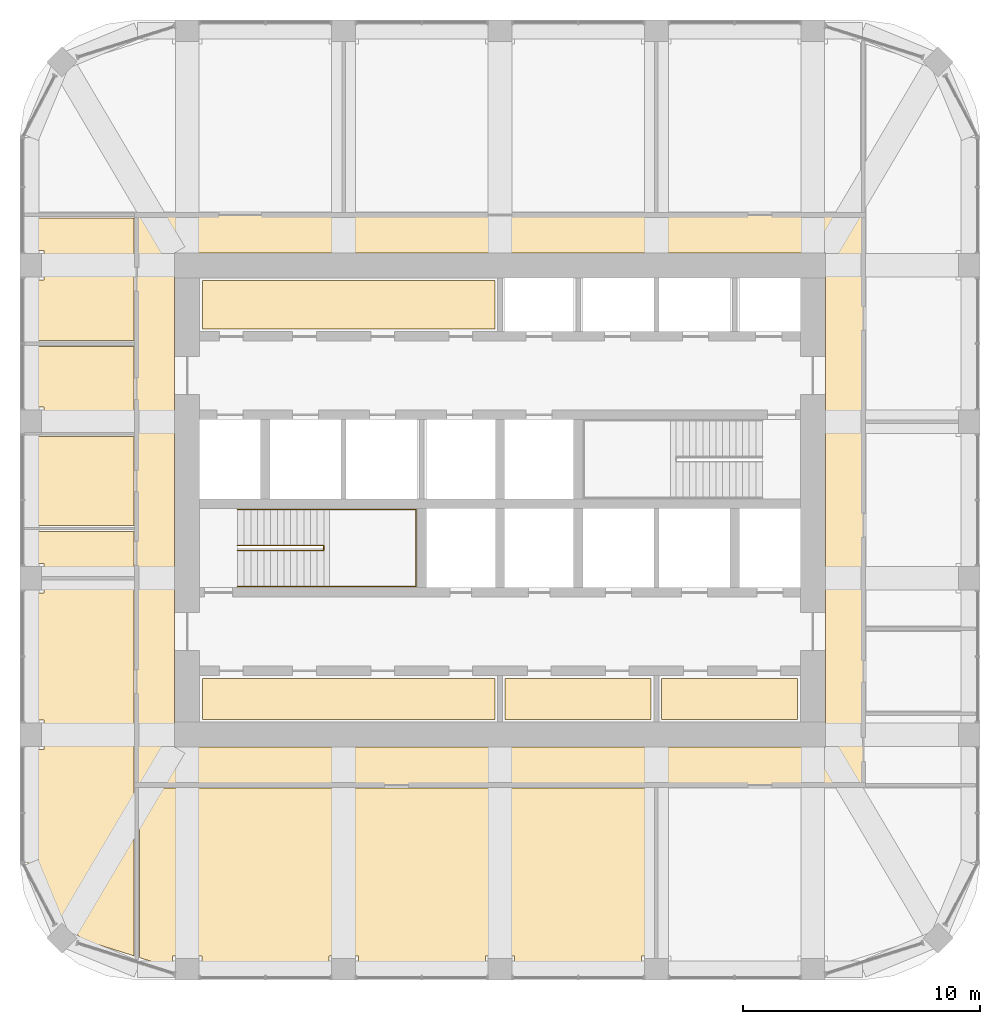
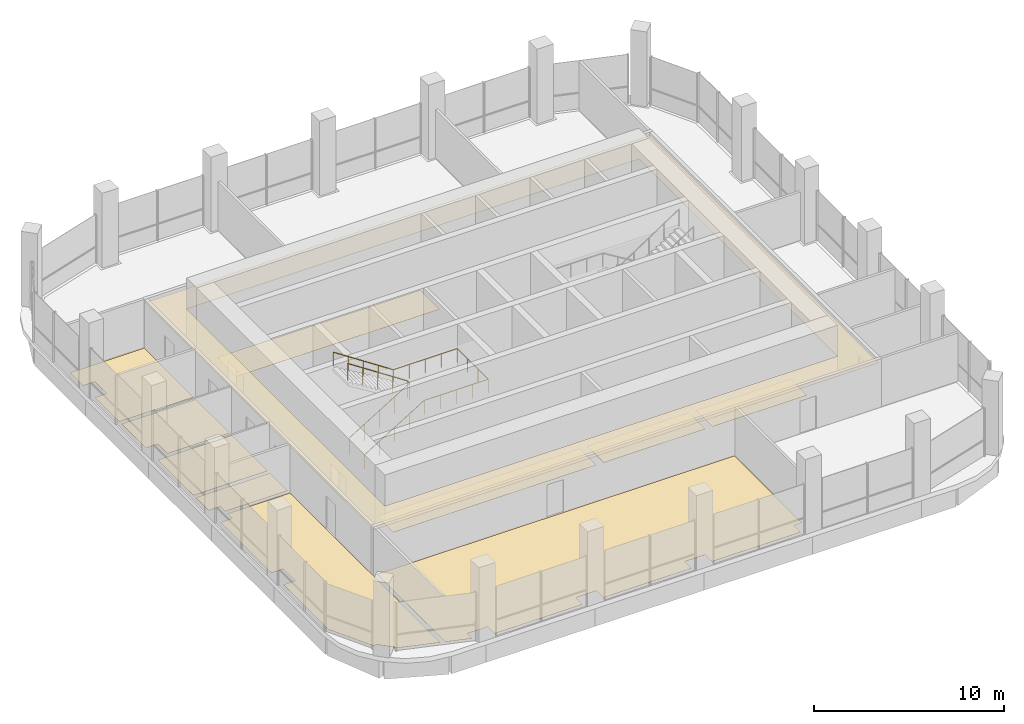
# One storey, part 12 of 13: 11 coverings, 2 railings.
"""IFC4 building model written with IfcOpenShell, lengths in metres."""

import ifcopenshell
import ifcopenshell.guid

model = None  # the IFC model being written
_history = None  # IfcOwnerHistory: only IFC2X3 demands one
_inside = {}  # id of a spatial element -> (the spatial element, [elements in it])
_under = {}  # id of a project, library or spatial element -> (it, [spatial elements below it])
_declared = {}  # id of a project -> (the project, [libraries it declares])
_typed = {}  # id of a type object -> (the type object, [elements of that type])
_made_of = {}  # id of a material, layer set ... -> (it, [elements and type objects made of it])


def new_model(schema):
    """Start an empty IFC model of exactly this schema.

    Asked for "IFC4X3", IfcOpenShell would pick the latest addendum, in which some entities
    have other attributes; the version numbers below select the first issue.
    IFC2X3 requires an IfcOwnerHistory on every rooted entity: one is made here for all.
    """
    global model, _history
    if schema == "IFC4X3":
        model = ifcopenshell.file(schema_version=(4, 3, 0, 0))
    else:
        model = ifcopenshell.file(schema=schema)
    _inside.clear()
    _under.clear()
    _declared.clear()
    _typed.clear()
    _made_of.clear()
    _history = None
    if model.schema == "IFC2X3":
        org = make("IfcOrganization", Name="unknown")
        user = make(
            "IfcPersonAndOrganization",
            ThePerson=make("IfcPerson", FamilyName="unknown"),
            TheOrganization=org,
        )
        app = make(
            "IfcApplication",
            ApplicationDeveloper=org,
            Version="unknown",
            ApplicationFullName="unknown",
            ApplicationIdentifier="unknown",
        )
        _history = make(
            "IfcOwnerHistory",
            OwningUser=user,
            OwningApplication=app,
            ChangeAction="ADDED",
            CreationDate=0,
        )
    return model


def make(cls, **values):
    """One entity of the class cls with the attributes given. An attribute that is None is left unset."""
    return model.create_entity(
        cls, **{name: value for name, value in values.items() if value is not None}
    )


def rooted(cls, **values):
    """An entity with a GlobalId (a new one), such as an element, a storey or a relation."""
    return make(cls, GlobalId=ifcopenshell.guid.new(), OwnerHistory=_history, **values)


def si_unit(unit_type, name, prefix=None):
    """IfcSIUnit, for example si_unit("LENGTHUNIT", "METRE", prefix="MILLI")."""
    return make("IfcSIUnit", UnitType=unit_type, Prefix=prefix, Name=name)


def assignment(units):
    """IfcUnitAssignment: the units of a project."""
    return None if units is None else make("IfcUnitAssignment", Units=units)


def point(xyz):
    """IfcCartesianPoint."""
    return None if xyz is None else make("IfcCartesianPoint", Coordinates=xyz)


def direction(xyz):
    """IfcDirection."""
    return None if xyz is None else make("IfcDirection", DirectionRatios=xyz)


def frame(location, z_axis=None, x_axis=None):
    """IfcAxis2Placement3D, a coordinate frame: its origin and axes. An axis left out is left unset."""
    return make(
        "IfcAxis2Placement3D",
        Location=point(location),
        Axis=direction(z_axis),
        RefDirection=direction(x_axis),
    )


def origin():
    """The frame at (0, 0, 0) with its axes left unset."""
    return frame((0.0, 0.0, 0.0))


def place(relative_to, where):
    """IfcLocalPlacement: puts the frame where relative to a parent placement (None: the world)."""
    return make(
        "IfcLocalPlacement", PlacementRelTo=relative_to, RelativePlacement=where
    )


def context(
    kind, dimensions, precision=None, world=None, true_north=None, identifier=None
):
    """IfcGeometricRepresentationContext, for example the 3D "Model" context."""
    return make(
        "IfcGeometricRepresentationContext",
        ContextIdentifier=identifier,
        ContextType=kind,
        CoordinateSpaceDimension=dimensions,
        Precision=precision,
        WorldCoordinateSystem=world,
        TrueNorth=true_north,
    )


def subcontext(parent, identifier, kind, view, scale=None):
    """IfcGeometricRepresentationSubContext, for example "Body" below "Model"."""
    return make(
        "IfcGeometricRepresentationSubContext",
        ContextIdentifier=identifier,
        ContextType=kind,
        ParentContext=parent,
        TargetScale=scale,
        TargetView=view,
    )


def project(units=None, contexts=None):
    """IfcProject with its units and contexts."""
    return rooted(
        "IfcProject",
        Name="project",
        RepresentationContexts=contexts,
        UnitsInContext=assignment(units),
    )


def spatial(cls, under=None, at=None, **own):
    """A site, building, storey or space (cls), placed at a placement, below another one or the project."""
    s = rooted(cls, ObjectPlacement=at, **own)
    if under is not None:
        _under.setdefault(under.id(), (under, []))[1].append(s)
    return s


def polyline(points):
    """IfcPolyline through the points."""
    return make("IfcPolyline", Points=[point(p) for p in points])


def outline(outer, holes=None, kind="AREA"):
    """IfcArbitraryClosedProfileDef: a profile drawn as a closed curve; with holes, ...WithVoids."""
    if holes is None:
        return make("IfcArbitraryClosedProfileDef", ProfileType=kind, OuterCurve=outer)
    return make(
        "IfcArbitraryProfileDefWithVoids",
        ProfileType=kind,
        OuterCurve=outer,
        InnerCurves=holes,
    )


def extrude(swept, where, along, depth):
    """IfcExtrudedAreaSolid: the profile swept, set in the frame where, extruded along a direction by depth."""
    return make(
        "IfcExtrudedAreaSolid",
        SweptArea=swept,
        Position=where,
        ExtrudedDirection=direction(along),
        Depth=depth,
    )


def shape(context_of_items, identifier, shape_type, items):
    """IfcShapeRepresentation: the items that make up one representation, for example the "Body"."""
    return make(
        "IfcShapeRepresentation",
        ContextOfItems=context_of_items,
        RepresentationIdentifier=identifier,
        RepresentationType=shape_type,
        Items=items,
    )


def material(Name=None, Category=None):
    """IfcMaterial."""
    return make("IfcMaterial", Name=Name, Category=Category)


def layer(
    of_material, thickness, ventilated=None, Name=None, Category=None, Priority=None
):
    """IfcMaterialLayer: one layer of a wall or slab, of a material (None: an air gap)."""
    return make(
        "IfcMaterialLayer",
        Material=of_material,
        LayerThickness=thickness,
        IsVentilated=ventilated,
        Name=Name,
        Category=Category,
        Priority=Priority,
    )


def layer_set(layers, Name=None):
    """IfcMaterialLayerSet."""
    return make("IfcMaterialLayerSet", MaterialLayers=layers, LayerSetName=Name)


def made_of(thing, what):
    """Note that an element or type object is made of a material, layer set ...; save() writes the relation."""
    if what is not None:
        _made_of.setdefault(what.id(), (what, []))[1].append(thing)
    return thing


def type_object(cls, material=None, **own):
    """A type object (cls), such as IfcWallType, which elements share."""
    return made_of(rooted(cls, **own), material)


def element(
    cls,
    number,
    at=None,
    inside=None,
    cuts=None,
    type_object=None,
    material=None,
    context=None,
    identifier="Body",
    shape_type=None,
    held_by="IfcProductDefinitionShape",
    body=None,
    shapes=None,
    **own,
):
    """One element of the class cls, such as IfcWall. Its Tag is "e" and its number.

    at: its placement. inside: the storey or other place that contains it. cuts: it is an
    opening in that element (IfcRelVoidsElement). A single representation is given by context,
    identifier, shape_type and body (its items); several are given by shapes. held_by: the class
    of the entity that holds the representations. save() writes the other relations.
    """
    e = rooted(cls, Tag="e%d" % number, ObjectPlacement=at, **own)
    if body is not None:
        shapes = [shape(context, identifier, shape_type, body)]
    if shapes is not None:
        e.Representation = make(held_by, Representations=shapes)
    if inside is not None:
        _inside.setdefault(inside.id(), (inside, []))[1].append(e)
    if cuts is not None:
        rooted(
            "IfcRelVoidsElement", RelatingBuildingElement=cuts, RelatedOpeningElement=e
        )
    if type_object is not None:
        _typed.setdefault(type_object.id(), (type_object, []))[1].append(e)
    return made_of(e, material)


def aggregate(whole, parts):
    """IfcRelAggregates: a whole, such as a stair, and the parts it consists of."""
    return rooted("IfcRelAggregates", RelatingObject=whole, RelatedObjects=parts)


def save(model, path):
    """Write the relations noted so far, then the file.

    IfcRelAggregates (storeys below a building ...), IfcRelContainedInSpatialStructure (elements
    in a storey), IfcRelDefinesByType, IfcRelAssociatesMaterial and IfcRelDeclares: one each for
    every whole, place, type object, material and project.
    """
    for whole, parts in _under.values():
        aggregate(whole, parts)
    for where, things in _inside.values():
        rooted(
            "IfcRelContainedInSpatialStructure",
            RelatedElements=things,
            RelatingStructure=where,
        )
    for kind, things in _typed.values():
        rooted("IfcRelDefinesByType", RelatedObjects=things, RelatingType=kind)
    for what, things in _made_of.values():
        rooted("IfcRelAssociatesMaterial", RelatedObjects=things, RelatingMaterial=what)
    for by, libraries in _declared.values():
        rooted("IfcRelDeclares", RelatingContext=by, RelatedDefinitions=libraries)
    model.write(path)


model = new_model("IFC4")

# Units and contexts
model_context = context("Model", 3, precision=1e-05, world=origin(), true_north=direction((0.0, 1.0)))
body_context = subcontext(model_context, "Body", "Model", "MODEL_VIEW")
ifc_project = project(units=[si_unit("LENGTHUNIT", "METRE"), si_unit("AREAUNIT", "SQUARE_METRE"), si_unit("VOLUMEUNIT", "CUBIC_METRE"), si_unit("PLANEANGLEUNIT", "RADIAN"), si_unit("MASSUNIT", "GRAM", prefix="KILO")], contexts=[model_context])

# Site, building, storey
site_placement = place(None, origin())
site = spatial("IfcSite", under=ifc_project, at=site_placement, CompositionType="ELEMENT")
building_placement = place(site_placement, origin())
building = spatial("IfcBuilding", under=site, at=building_placement, Name="Cobogo Forest Laboratory Tower", CompositionType="ELEMENT")
storey_placement = place(building_placement, frame((0.0, 0.0, 288.0)))
storey = spatial("IfcBuildingStorey", under=building, at=storey_placement, Name="L66", CompositionType="ELEMENT", Elevation=288.0)

# Coverings
ifc_material_1 = material(Name="Mineral fibre ceiling tile", Category="ceiling")
ifc_layer_1 = layer(ifc_material_1, 0.02001953125)
ifc_layer_set_1 = layer_set([ifc_layer_1], Name="CL1 suspended ceiling")
covering_type_1 = type_object("IfcCoveringType", Name="CL1 suspended ceiling", PredefinedType="CEILING", material=ifc_layer_set_1)
covering_1_placement = place(storey_placement, frame((0.0, 0.0, 2.800048828125)))
element("IfcCovering", 1, at=covering_1_placement, inside=storey, type_object=covering_type_1, Name="Corridor ceiling L66", PredefinedType="CEILING", context=body_context, shape_type="SweptSolid", body=[
    extrude(outline(polyline([(11.074951171875, 11.074951171875), (11.074951171875, 35.125), (41.72509765625, 35.125), (41.72509765625, 11.074951171875), (11.074951171875, 11.074951171875)]), holes=[polyline([(40.125, 33.52490234375), (12.675048828125, 33.52490234375), (12.675048828125, 12.675048828125), (40.125, 12.675048828125), (40.125, 33.52490234375)])]), origin(), (0.0, 0.0, 1.0), 0.02001953125),
])
ifc_material_2 = material(Name="Carpet tile on raised access floor", Category="flooring")
ifc_layer_2 = layer(ifc_material_2, 0.008056640625)
ifc_layer_set_2 = layer_set([ifc_layer_2], Name="CT1 carpet tile floor 8")
covering_type_2 = type_object("IfcCoveringType", Name="CT1 carpet tile floor 8", PredefinedType="FLOORING", material=ifc_layer_set_2)
covering_2_placement = place(storey_placement, origin())
element("IfcCovering", 2, at=covering_2_placement, inside=storey, type_object=covering_type_2, Name="Carpet floor L66-01", PredefinedType="FLOORING", context=body_context, shape_type="SweptSolid", body=[
    extrude(outline(polyline([(32.8798828125, 10.955078125), (32.8798828125, 3.8701171875), (32.3798828125, 3.8701171875), (32.3798828125, 3.14990234375), (27.02001953125, 3.14990234375), (27.02001953125, 3.8701171875), (25.780029296875, 3.8701171875), (25.780029296875, 3.14990234375), (20.419921875, 3.14990234375), (20.419921875, 3.8701171875), (19.179931640625, 3.8701171875), (19.179931640625, 3.14990234375), (13.820068359375, 3.14990234375), (13.820068359375, 3.8701171875), (12.580078125, 3.8701171875), (12.580078125, 3.35546875), (11.195068359375, 3.79296875), (11.195068359375, 10.955078125), (32.8798828125, 10.955078125)])), origin(), (0.0, 0.0, 1.0), 0.008056640625),
])
covering_3_placement = place(storey_placement, origin())
element("IfcCovering", 3, at=covering_3_placement, inside=storey, type_object=covering_type_2, Name="Carpet floor L66-10", PredefinedType="FLOORING", context=body_context, shape_type="SweptSolid", body=[
    extrude(outline(polyline([(8.68994140625, 4.583984375), (8.72412109375, 4.617919921875), (7.91796875, 5.424072265625), (7.788818359375, 5.294921875), (6.449951171875, 7.84912109375), (6.449951171875, 12.580078125), (7.169921875, 12.580078125), (7.169921875, 13.820068359375), (6.449951171875, 13.820068359375), (6.449951171875, 19.179931640625), (7.169921875, 19.179931640625), (7.169921875, 19.679931640625), (10.955078125, 19.679931640625), (10.955078125, 3.86865234375), (8.68994140625, 4.583984375)])), origin(), (0.0, 0.0, 1.0), 0.008056640625),
])
covering_4_placement = place(storey_placement, origin())
element("IfcCovering", 4, at=covering_4_placement, inside=storey, type_object=covering_type_2, Name="Carpet floor L66-14", PredefinedType="FLOORING", context=body_context, shape_type="SweptSolid", body=[
    extrude(outline(polyline([(10.955078125, 29.820068359375), (6.449951171875, 29.820068359375), (6.449951171875, 32.3798828125), (7.169921875, 32.3798828125), (7.169921875, 33.6201171875), (6.449951171875, 33.6201171875), (6.449951171875, 35.0048828125), (10.955078125, 35.0048828125), (10.955078125, 29.820068359375)])), origin(), (0.0, 0.0, 1.0), 0.008056640625),
])
covering_5_placement = place(storey_placement, origin())
element("IfcCovering", 5, at=covering_5_placement, inside=storey, type_object=covering_type_2, Name="Carpet floor L66-22", PredefinedType="FLOORING", context=body_context, shape_type="SweptSolid", body=[
    extrude(outline(polyline([(26.179931640625, 13.844970703125), (13.844970703125, 13.844970703125), (13.844970703125, 15.580078125), (26.179931640625, 15.580078125), (26.179931640625, 13.844970703125)])), origin(), (0.0, 0.0, 1.0), 0.008056640625),
])
covering_6_placement = place(storey_placement, origin())
element("IfcCovering", 6, at=covering_6_placement, inside=storey, type_object=covering_type_2, Name="Carpet floor L66-23", PredefinedType="FLOORING", context=body_context, shape_type="SweptSolid", body=[
    extrude(outline(polyline([(32.780029296875, 13.844970703125), (26.6201171875, 13.844970703125), (26.6201171875, 15.580078125), (32.780029296875, 15.580078125), (32.780029296875, 13.844970703125)])), origin(), (0.0, 0.0, 1.0), 0.008056640625),
])
covering_7_placement = place(storey_placement, origin())
element("IfcCovering", 7, at=covering_7_placement, inside=storey, type_object=covering_type_2, Name="Carpet floor L66-25", PredefinedType="FLOORING", context=body_context, shape_type="SweptSolid", body=[
    extrude(outline(polyline([(26.179931640625, 30.320068359375), (13.844970703125, 30.320068359375), (13.844970703125, 32.35498046875), (26.179931640625, 32.35498046875), (26.179931640625, 30.320068359375)])), origin(), (0.0, 0.0, 1.0), 0.008056640625),
])

# Railings
ifc_material_3 = material(Name="Steel balustrade", Category="steel")
railing_type_1 = type_object("IfcRailingType", Name="GR stair guard 1100", PredefinedType="GUARDRAIL", material=ifc_material_3)
railing_1_placement = place(storey_placement, frame((15.324951171875, 20.969970703125, 0.17138671875)))
element("IfcRailing", 8, at=railing_1_placement, inside=storey, type_object=railing_type_1, Name="Stair guard ST1 L66", PredefinedType="GUARDRAIL", context=body_context, shape_type="SweptSolid", body=[
    extrude(outline(polyline([(0.022216796875, 0.00927734375), (0.00927734375, 0.022216796875), (-0.00927734375, 0.022216796875), (-0.022216796875, 0.00927734375), (-0.022216796875, -0.00927734375), (-0.00927734375, -0.022216796875), (0.00927734375, -0.022216796875), (0.022216796875, -0.00927734375), (0.022216796875, 0.00927734375)])), frame((0.0, 0.0, 1.077880859375), z_axis=(0.852865859571, 0.0, 0.52213008492), x_axis=(0.0, 1.0, 0.0)), (0.0, 0.0, 1.0), 4.26806640625),
    extrude(outline(polyline([(0.022216796875, 0.00927734375), (0.00927734375, 0.022216796875), (-0.00927734375, 0.022216796875), (-0.022216796875, 0.00927734375), (-0.022216796875, -0.00927734375), (-0.00927734375, -0.022216796875), (0.00927734375, -0.022216796875), (0.022216796875, -0.00927734375), (0.022216796875, 0.00927734375)])), frame((3.64013671875, 0.0, 3.306396484375), z_axis=(0.0, 1.0, 0.0), x_axis=(-1.0, 0.0, 0.0)), (0.0, 0.0, 1.0), 0.2099609375),
    extrude(outline(polyline([(0.022216796875, 0.00927734375), (0.00927734375, 0.022216796875), (-0.00927734375, 0.022216796875), (-0.022216796875, 0.00927734375), (-0.022216796875, -0.00927734375), (-0.00927734375, -0.022216796875), (0.00927734375, -0.022216796875), (0.022216796875, -0.00927734375), (0.022216796875, 0.00927734375)])), frame((3.64013671875, 0.2099609375, 3.306396484375), z_axis=(-0.834856447115, 0.0, 0.55046772177), x_axis=(0.0, -1.0, 0.0)), (0.0, 0.0, 1.0), 4.360107421875),
    extrude(outline(polyline([(0.019287109375, 0.008056640625), (0.008056640625, 0.019287109375), (-0.008056640625, 0.019287109375), (-0.019287109375, 0.008056640625), (-0.019287109375, -0.008056640625), (-0.008056640625, -0.019287109375), (0.008056640625, -0.019287109375), (0.019287109375, -0.008056640625), (0.019287109375, 0.008056640625)])), origin(), (0.0, 0.0, 1.0), 1.077880859375),
    extrude(outline(polyline([(0.019287109375, 0.008056640625), (0.008056640625, 0.019287109375), (-0.008056640625, 0.019287109375), (-0.019287109375, 0.008056640625), (-0.019287109375, -0.008056640625), (-0.008056640625, -0.019287109375), (0.008056640625, -0.019287109375), (0.019287109375, -0.008056640625), (0.019287109375, 0.008056640625)])), frame((0.91015625, 0.0, 0.55712890625)), (0.0, 0.0, 1.0), 1.077880859375),
    extrude(outline(polyline([(0.019287109375, 0.008056640625), (0.008056640625, 0.019287109375), (-0.008056640625, 0.019287109375), (-0.019287109375, 0.008056640625), (-0.019287109375, -0.008056640625), (-0.008056640625, -0.019287109375), (0.008056640625, -0.019287109375), (0.019287109375, -0.008056640625), (0.019287109375, 0.008056640625)])), frame((1.820068359375, 0.0, 1.1142578125)), (0.0, 0.0, 1.0), 1.077880859375),
    extrude(outline(polyline([(0.019287109375, 0.008056640625), (0.008056640625, 0.019287109375), (-0.008056640625, 0.019287109375), (-0.019287109375, 0.008056640625), (-0.019287109375, -0.008056640625), (-0.008056640625, -0.019287109375), (0.008056640625, -0.019287109375), (0.019287109375, -0.008056640625), (0.019287109375, 0.008056640625)])), frame((2.72998046875, 0.0, 1.67138671875)), (0.0, 0.0, 1.0), 1.077880859375),
    extrude(outline(polyline([(0.019287109375, 0.008056640625), (0.008056640625, 0.019287109375), (-0.008056640625, 0.019287109375), (-0.019287109375, 0.008056640625), (-0.019287109375, -0.008056640625), (-0.008056640625, -0.019287109375), (0.008056640625, -0.019287109375), (0.019287109375, -0.008056640625), (0.019287109375, 0.008056640625)])), frame((3.64013671875, 0.0, 2.228515625)), (0.0, 0.0, 1.0), 1.077880859375),
    extrude(outline(polyline([(0.019287109375, 0.008056640625), (0.008056640625, 0.019287109375), (-0.008056640625, 0.019287109375), (-0.019287109375, 0.008056640625), (-0.019287109375, -0.008056640625), (-0.008056640625, -0.019287109375), (0.008056640625, -0.019287109375), (0.019287109375, -0.008056640625), (0.019287109375, 0.008056640625)])), frame((3.64013671875, 0.2099609375, 2.228515625)), (0.0, 0.0, 1.0), 1.077880859375),
    extrude(outline(polyline([(0.019287109375, 0.008056640625), (0.008056640625, 0.019287109375), (-0.008056640625, 0.019287109375), (-0.019287109375, 0.008056640625), (-0.019287109375, -0.008056640625), (-0.008056640625, -0.019287109375), (0.008056640625, -0.019287109375), (0.019287109375, -0.008056640625), (0.019287109375, 0.008056640625)])), frame((2.72998046875, 0.2099609375, 2.82861328125)), (0.0, 0.0, 1.0), 1.077880859375),
    extrude(outline(polyline([(0.019287109375, 0.008056640625), (0.008056640625, 0.019287109375), (-0.008056640625, 0.019287109375), (-0.019287109375, 0.008056640625), (-0.019287109375, -0.008056640625), (-0.008056640625, -0.019287109375), (0.008056640625, -0.019287109375), (0.019287109375, -0.008056640625), (0.019287109375, 0.008056640625)])), frame((1.820068359375, 0.2099609375, 3.4287109375)), (0.0, 0.0, 1.0), 1.077880859375),
    extrude(outline(polyline([(0.019287109375, 0.008056640625), (0.008056640625, 0.019287109375), (-0.008056640625, 0.019287109375), (-0.019287109375, 0.008056640625), (-0.019287109375, -0.008056640625), (-0.008056640625, -0.019287109375), (0.008056640625, -0.019287109375), (0.019287109375, -0.008056640625), (0.019287109375, 0.008056640625)])), frame((0.91015625, 0.2099609375, 4.028564453125)), (0.0, 0.0, 1.0), 1.077880859375),
    extrude(outline(polyline([(0.019287109375, 0.008056640625), (0.008056640625, 0.019287109375), (-0.008056640625, 0.019287109375), (-0.019287109375, 0.008056640625), (-0.019287109375, -0.008056640625), (-0.008056640625, -0.019287109375), (0.008056640625, -0.019287109375), (0.019287109375, -0.008056640625), (0.019287109375, 0.008056640625)])), frame((0.0, 0.2099609375, 4.628662109375)), (0.0, 0.0, 1.0), 1.077880859375),
])
ifc_material_4 = material(Name="Stainless steel handrail", Category="steel")
railing_type_2 = type_object("IfcRailingType", Name="HR handrail 900", PredefinedType="HANDRAIL", material=ifc_material_4)
railing_2_placement = place(storey_placement, frame((15.324951171875, 19.449951171875, 0.17138671875)))
element("IfcRailing", 9, at=railing_2_placement, inside=storey, type_object=railing_type_2, Name="Stair handrail ST1 L66", PredefinedType="HANDRAIL", context=body_context, shape_type="SweptSolid", body=[
    extrude(outline(polyline([(0.022216796875, 0.00927734375), (0.00927734375, 0.022216796875), (-0.00927734375, 0.022216796875), (-0.022216796875, 0.00927734375), (-0.022216796875, -0.00927734375), (-0.00927734375, -0.022216796875), (0.00927734375, -0.022216796875), (0.022216796875, -0.00927734375), (0.022216796875, 0.00927734375)])), frame((0.0, 0.0, 0.877685546875), z_axis=(0.852865859571, 0.0, 0.52213008492), x_axis=(0.0, 1.0, 0.0)), (0.0, 0.0, 1.0), 4.26806640625),
    extrude(outline(polyline([(0.022216796875, 0.00927734375), (0.00927734375, 0.022216796875), (-0.00927734375, 0.022216796875), (-0.022216796875, 0.00927734375), (-0.022216796875, -0.00927734375), (-0.00927734375, -0.022216796875), (0.00927734375, -0.022216796875), (0.022216796875, -0.00927734375), (0.022216796875, 0.00927734375)])), frame((3.64013671875, 0.0, 3.106201171875), z_axis=(1.0, 0.0, 0.0), x_axis=(0.0, 1.0, 0.0)), (0.0, 0.0, 1.0), 3.885009765625),
    extrude(outline(polyline([(0.022216796875, 0.00927734375), (0.00927734375, 0.022216796875), (-0.00927734375, 0.022216796875), (-0.022216796875, 0.00927734375), (-0.022216796875, -0.00927734375), (-0.00927734375, -0.022216796875), (0.00927734375, -0.022216796875), (0.022216796875, -0.00927734375), (0.022216796875, 0.00927734375)])), frame((7.525146484375, 0.0, 3.106201171875), z_axis=(0.0, 1.0, 0.0), x_axis=(-1.0, 0.0, 0.0)), (0.0, 0.0, 1.0), 3.25),
    extrude(outline(polyline([(0.022216796875, 0.00927734375), (0.00927734375, 0.022216796875), (-0.00927734375, 0.022216796875), (-0.022216796875, 0.00927734375), (-0.022216796875, -0.00927734375), (-0.00927734375, -0.022216796875), (0.00927734375, -0.022216796875), (0.022216796875, -0.00927734375), (0.022216796875, 0.00927734375)])), frame((7.525146484375, 3.25, 3.106201171875), z_axis=(-1.0, 0.0, 0.0), x_axis=(0.0, -1.0, 0.0)), (0.0, 0.0, 1.0), 3.885009765625),
    extrude(outline(polyline([(0.022216796875, 0.00927734375), (0.00927734375, 0.022216796875), (-0.00927734375, 0.022216796875), (-0.022216796875, 0.00927734375), (-0.022216796875, -0.00927734375), (-0.00927734375, -0.022216796875), (0.00927734375, -0.022216796875), (0.022216796875, -0.00927734375), (0.022216796875, 0.00927734375)])), frame((3.64013671875, 3.25, 3.106201171875), z_axis=(-0.834856447115, 0.0, 0.55046772177), x_axis=(0.0, -1.0, 0.0)), (0.0, 0.0, 1.0), 4.360107421875),
    extrude(outline(polyline([(0.019287109375, 0.008056640625), (0.008056640625, 0.019287109375), (-0.008056640625, 0.019287109375), (-0.019287109375, 0.008056640625), (-0.019287109375, -0.008056640625), (-0.008056640625, -0.019287109375), (0.008056640625, -0.019287109375), (0.019287109375, -0.008056640625), (0.019287109375, 0.008056640625)])), origin(), (0.0, 0.0, 1.0), 0.877685546875),
    extrude(outline(polyline([(0.019287109375, 0.008056640625), (0.008056640625, 0.019287109375), (-0.008056640625, 0.019287109375), (-0.019287109375, 0.008056640625), (-0.019287109375, -0.008056640625), (-0.008056640625, -0.019287109375), (0.008056640625, -0.019287109375), (0.019287109375, -0.008056640625), (0.019287109375, 0.008056640625)])), frame((0.91015625, 0.0, 0.55712890625)), (0.0, 0.0, 1.0), 0.877685546875),
    extrude(outline(polyline([(0.019287109375, 0.008056640625), (0.008056640625, 0.019287109375), (-0.008056640625, 0.019287109375), (-0.019287109375, 0.008056640625), (-0.019287109375, -0.008056640625), (-0.008056640625, -0.019287109375), (0.008056640625, -0.019287109375), (0.019287109375, -0.008056640625), (0.019287109375, 0.008056640625)])), frame((1.820068359375, 0.0, 1.1142578125)), (0.0, 0.0, 1.0), 0.877685546875),
    extrude(outline(polyline([(0.019287109375, 0.008056640625), (0.008056640625, 0.019287109375), (-0.008056640625, 0.019287109375), (-0.019287109375, 0.008056640625), (-0.019287109375, -0.008056640625), (-0.008056640625, -0.019287109375), (0.008056640625, -0.019287109375), (0.019287109375, -0.008056640625), (0.019287109375, 0.008056640625)])), frame((2.72998046875, 0.0, 1.67138671875)), (0.0, 0.0, 1.0), 0.877685546875),
    extrude(outline(polyline([(0.019287109375, 0.008056640625), (0.008056640625, 0.019287109375), (-0.008056640625, 0.019287109375), (-0.019287109375, 0.008056640625), (-0.019287109375, -0.008056640625), (-0.008056640625, -0.019287109375), (0.008056640625, -0.019287109375), (0.019287109375, -0.008056640625), (0.019287109375, 0.008056640625)])), frame((3.64013671875, 0.0, 2.228515625)), (0.0, 0.0, 1.0), 0.877685546875),
    extrude(outline(polyline([(0.019287109375, 0.008056640625), (0.008056640625, 0.019287109375), (-0.008056640625, 0.019287109375), (-0.019287109375, 0.008056640625), (-0.019287109375, -0.008056640625), (-0.008056640625, -0.019287109375), (0.008056640625, -0.019287109375), (0.019287109375, -0.008056640625), (0.019287109375, 0.008056640625)])), frame((4.611328125, 0.0, 2.228515625)), (0.0, 0.0, 1.0), 0.877685546875),
    extrude(outline(polyline([(0.019287109375, 0.008056640625), (0.008056640625, 0.019287109375), (-0.008056640625, 0.019287109375), (-0.019287109375, 0.008056640625), (-0.019287109375, -0.008056640625), (-0.008056640625, -0.019287109375), (0.008056640625, -0.019287109375), (0.019287109375, -0.008056640625), (0.019287109375, 0.008056640625)])), frame((5.58251953125, 0.0, 2.228515625)), (0.0, 0.0, 1.0), 0.877685546875),
    extrude(outline(polyline([(0.019287109375, 0.008056640625), (0.008056640625, 0.019287109375), (-0.008056640625, 0.019287109375), (-0.019287109375, 0.008056640625), (-0.019287109375, -0.008056640625), (-0.008056640625, -0.019287109375), (0.008056640625, -0.019287109375), (0.019287109375, -0.008056640625), (0.019287109375, 0.008056640625)])), frame((6.553955078125, 0.0, 2.228515625)), (0.0, 0.0, 1.0), 0.877685546875),
    extrude(outline(polyline([(0.019287109375, 0.008056640625), (0.008056640625, 0.019287109375), (-0.008056640625, 0.019287109375), (-0.019287109375, 0.008056640625), (-0.019287109375, -0.008056640625), (-0.008056640625, -0.019287109375), (0.008056640625, -0.019287109375), (0.019287109375, -0.008056640625), (0.019287109375, 0.008056640625)])), frame((7.525146484375, 0.0, 2.228515625)), (0.0, 0.0, 1.0), 0.877685546875),
    extrude(outline(polyline([(0.019287109375, 0.008056640625), (0.008056640625, 0.019287109375), (-0.008056640625, 0.019287109375), (-0.019287109375, 0.008056640625), (-0.019287109375, -0.008056640625), (-0.008056640625, -0.019287109375), (0.008056640625, -0.019287109375), (0.019287109375, -0.008056640625), (0.019287109375, 0.008056640625)])), frame((7.525146484375, 1.083251953125, 2.228515625)), (0.0, 0.0, 1.0), 0.877685546875),
    extrude(outline(polyline([(0.019287109375, 0.008056640625), (0.008056640625, 0.019287109375), (-0.008056640625, 0.019287109375), (-0.019287109375, 0.008056640625), (-0.019287109375, -0.008056640625), (-0.008056640625, -0.019287109375), (0.008056640625, -0.019287109375), (0.019287109375, -0.008056640625), (0.019287109375, 0.008056640625)])), frame((7.525146484375, 2.166748046875, 2.228515625)), (0.0, 0.0, 1.0), 0.877685546875),
    extrude(outline(polyline([(0.019287109375, 0.008056640625), (0.008056640625, 0.019287109375), (-0.008056640625, 0.019287109375), (-0.019287109375, 0.008056640625), (-0.019287109375, -0.008056640625), (-0.008056640625, -0.019287109375), (0.008056640625, -0.019287109375), (0.019287109375, -0.008056640625), (0.019287109375, 0.008056640625)])), frame((7.525146484375, 3.25, 2.228515625)), (0.0, 0.0, 1.0), 0.877685546875),
    extrude(outline(polyline([(0.019287109375, 0.008056640625), (0.008056640625, 0.019287109375), (-0.008056640625, 0.019287109375), (-0.019287109375, 0.008056640625), (-0.019287109375, -0.008056640625), (-0.008056640625, -0.019287109375), (0.008056640625, -0.019287109375), (0.019287109375, -0.008056640625), (0.019287109375, 0.008056640625)])), frame((6.553955078125, 3.25, 2.228515625)), (0.0, 0.0, 1.0), 0.877685546875),
    extrude(outline(polyline([(0.019287109375, 0.008056640625), (0.008056640625, 0.019287109375), (-0.008056640625, 0.019287109375), (-0.019287109375, 0.008056640625), (-0.019287109375, -0.008056640625), (-0.008056640625, -0.019287109375), (0.008056640625, -0.019287109375), (0.019287109375, -0.008056640625), (0.019287109375, 0.008056640625)])), frame((5.58251953125, 3.25, 2.228515625)), (0.0, 0.0, 1.0), 0.877685546875),
    extrude(outline(polyline([(0.019287109375, 0.008056640625), (0.008056640625, 0.019287109375), (-0.008056640625, 0.019287109375), (-0.019287109375, 0.008056640625), (-0.019287109375, -0.008056640625), (-0.008056640625, -0.019287109375), (0.008056640625, -0.019287109375), (0.019287109375, -0.008056640625), (0.019287109375, 0.008056640625)])), frame((4.611328125, 3.25, 2.228515625)), (0.0, 0.0, 1.0), 0.877685546875),
    extrude(outline(polyline([(0.019287109375, 0.008056640625), (0.008056640625, 0.019287109375), (-0.008056640625, 0.019287109375), (-0.019287109375, 0.008056640625), (-0.019287109375, -0.008056640625), (-0.008056640625, -0.019287109375), (0.008056640625, -0.019287109375), (0.019287109375, -0.008056640625), (0.019287109375, 0.008056640625)])), frame((3.64013671875, 3.25, 2.228515625)), (0.0, 0.0, 1.0), 0.877685546875),
    extrude(outline(polyline([(0.019287109375, 0.008056640625), (0.008056640625, 0.019287109375), (-0.008056640625, 0.019287109375), (-0.019287109375, 0.008056640625), (-0.019287109375, -0.008056640625), (-0.008056640625, -0.019287109375), (0.008056640625, -0.019287109375), (0.019287109375, -0.008056640625), (0.019287109375, 0.008056640625)])), frame((2.72998046875, 3.25, 2.82861328125)), (0.0, 0.0, 1.0), 0.877685546875),
    extrude(outline(polyline([(0.019287109375, 0.008056640625), (0.008056640625, 0.019287109375), (-0.008056640625, 0.019287109375), (-0.019287109375, 0.008056640625), (-0.019287109375, -0.008056640625), (-0.008056640625, -0.019287109375), (0.008056640625, -0.019287109375), (0.019287109375, -0.008056640625), (0.019287109375, 0.008056640625)])), frame((1.820068359375, 3.25, 3.4287109375)), (0.0, 0.0, 1.0), 0.877685546875),
    extrude(outline(polyline([(0.019287109375, 0.008056640625), (0.008056640625, 0.019287109375), (-0.008056640625, 0.019287109375), (-0.019287109375, 0.008056640625), (-0.019287109375, -0.008056640625), (-0.008056640625, -0.019287109375), (0.008056640625, -0.019287109375), (0.019287109375, -0.008056640625), (0.019287109375, 0.008056640625)])), frame((0.91015625, 3.25, 4.028564453125)), (0.0, 0.0, 1.0), 0.877685546875),
    extrude(outline(polyline([(0.019287109375, 0.008056640625), (0.008056640625, 0.019287109375), (-0.008056640625, 0.019287109375), (-0.019287109375, 0.008056640625), (-0.019287109375, -0.008056640625), (-0.008056640625, -0.019287109375), (0.008056640625, -0.019287109375), (0.019287109375, -0.008056640625), (0.019287109375, 0.008056640625)])), frame((0.0, 3.25, 4.628662109375)), (0.0, 0.0, 1.0), 0.877685546875),
])

# Coverings
ifc_material_5 = material(Name="Ceramic floor tile", Category="flooring")
ifc_layer_3 = layer(ifc_material_5, 0.010009765625)
ifc_layer_set_3 = layer_set([ifc_layer_3], Name="TF1 ceramic tile floor 10")
covering_type_3 = type_object("IfcCoveringType", Name="TF1 ceramic tile floor 10", PredefinedType="FLOORING", material=ifc_layer_set_3)
covering_8_placement = place(storey_placement, origin())
element("IfcCovering", 10, at=covering_8_placement, inside=storey, type_object=covering_type_3, Name="Tile floor L66-11", PredefinedType="FLOORING", context=body_context, shape_type="SweptSolid", body=[
    extrude(outline(polyline([(10.955078125, 19.919921875), (7.169921875, 19.919921875), (7.169921875, 20.419921875), (6.449951171875, 20.419921875), (6.449951171875, 21.780029296875), (10.955078125, 21.780029296875), (10.955078125, 19.919921875)])), origin(), (0.0, 0.0, 1.0), 0.010009765625),
])
covering_9_placement = place(storey_placement, origin())
element("IfcCovering", 11, at=covering_9_placement, inside=storey, type_object=covering_type_3, Name="Tile floor L66-12", PredefinedType="FLOORING", context=body_context, shape_type="SweptSolid", body=[
    extrude(outline(polyline([(10.955078125, 22.02001953125), (6.449951171875, 22.02001953125), (6.449951171875, 25.780029296875), (10.955078125, 25.780029296875), (10.955078125, 22.02001953125)])), origin(), (0.0, 0.0, 1.0), 0.010009765625),
])
covering_10_placement = place(storey_placement, origin())
element("IfcCovering", 12, at=covering_10_placement, inside=storey, type_object=covering_type_3, Name="Tile floor L66-13", PredefinedType="FLOORING", context=body_context, shape_type="SweptSolid", body=[
    extrude(outline(polyline([(10.955078125, 26.02001953125), (7.169921875, 26.02001953125), (7.169921875, 27.02001953125), (6.449951171875, 27.02001953125), (6.449951171875, 29.580078125), (10.955078125, 29.580078125), (10.955078125, 26.02001953125)])), origin(), (0.0, 0.0, 1.0), 0.010009765625),
])
covering_11_placement = place(storey_placement, origin())
element("IfcCovering", 13, at=covering_11_placement, inside=storey, type_object=covering_type_3, Name="Tile floor L66-24", PredefinedType="FLOORING", context=body_context, shape_type="SweptSolid", body=[
    extrude(outline(polyline([(38.955078125, 13.844970703125), (33.219970703125, 13.844970703125), (33.219970703125, 15.580078125), (38.955078125, 15.580078125), (38.955078125, 13.844970703125)])), origin(), (0.0, 0.0, 1.0), 0.010009765625),
])

save(model, "model.ifc")
